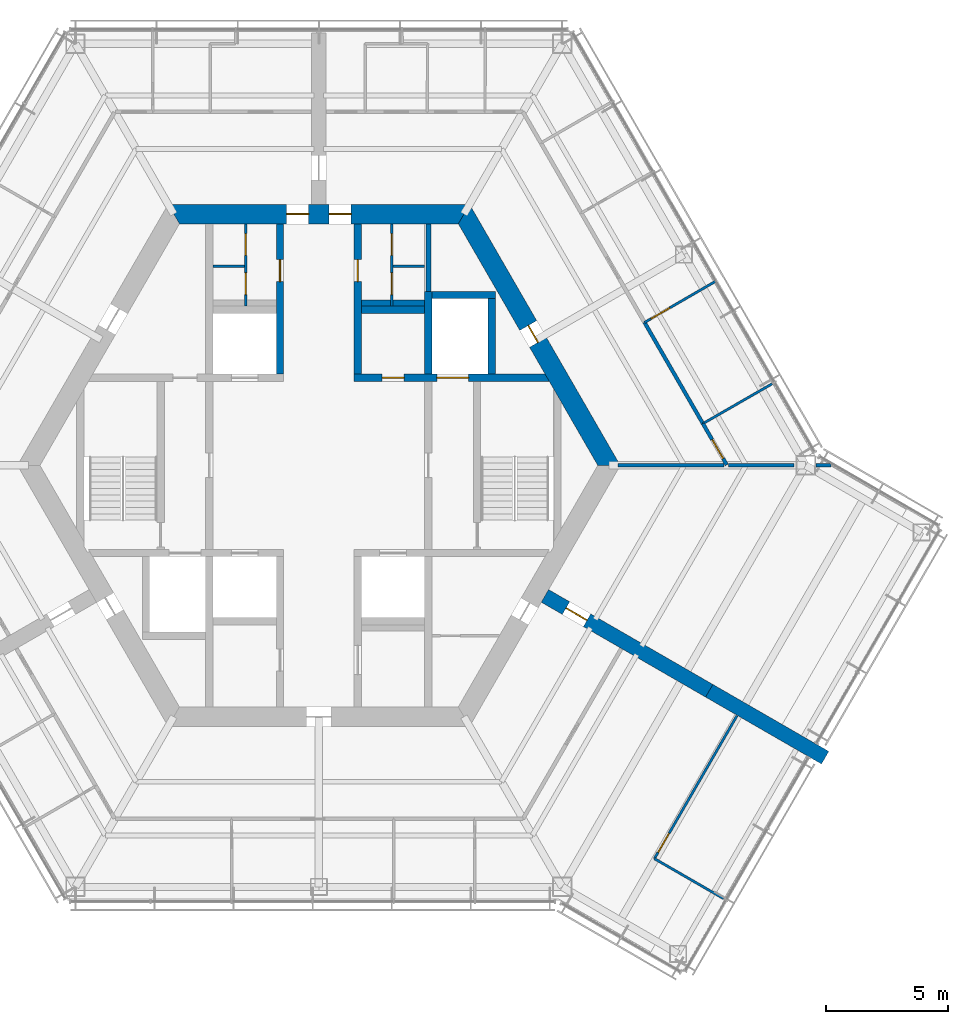
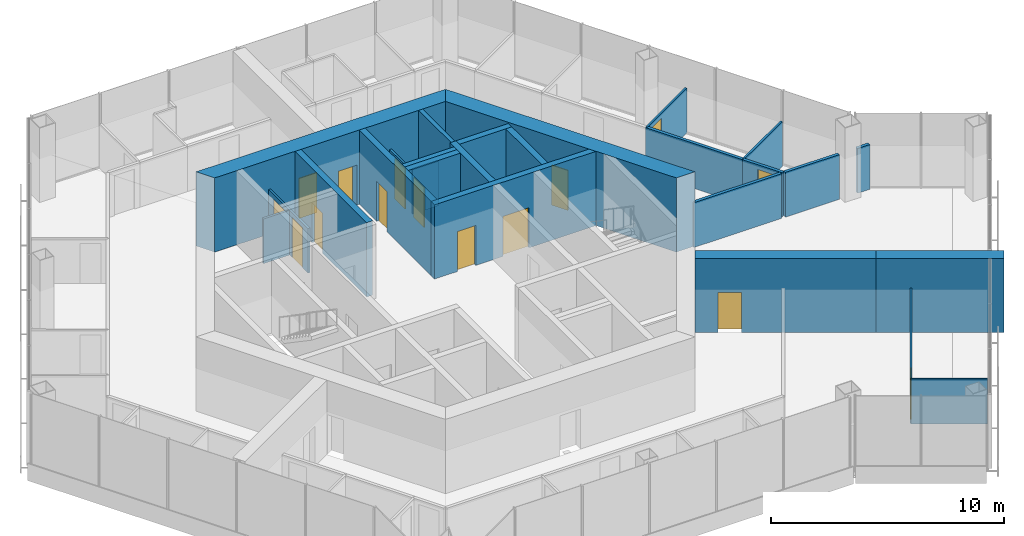
# One storey, part 9 of 13: 26 walls, 15 doors, 15 openings.
"""IFC4 building model written with IfcOpenShell, lengths in metres."""

from ifc_helpers import new_model, si_unit, direction, frame, frame_2d, origin, place, context, subcontext, project, spatial, polyline, rectangle, outline, extrude, material, layer, layer_set, type_object, element, fill, save


model = new_model("IFC4")

# Units and contexts
model_context = context("Model", 3, precision=1e-05, world=origin(), true_north=direction((0.0, 1.0)))
body_context = subcontext(model_context, "Body", "Model", "MODEL_VIEW")
ifc_project = project(units=[si_unit("LENGTHUNIT", "METRE"), si_unit("AREAUNIT", "SQUARE_METRE"), si_unit("VOLUMEUNIT", "CUBIC_METRE"), si_unit("PLANEANGLEUNIT", "RADIAN"), si_unit("MASSUNIT", "GRAM", prefix="KILO")], contexts=[model_context])

# Site, building, storey
site_placement = place(None, origin())
site = spatial("IfcSite", under=ifc_project, at=site_placement, CompositionType="ELEMENT")
building_placement = place(site_placement, origin())
building = spatial("IfcBuilding", under=site, at=building_placement, Name="Kasaneha Research Tower", CompositionType="ELEMENT")
storey_placement = place(building_placement, frame((0.0, 0.0, 298.60009765625)))
storey = spatial("IfcBuildingStorey", under=building, at=storey_placement, Name="L75", CompositionType="ELEMENT", Elevation=298.60009765625)

# Wall, openings, doors
ifc_material_1 = material(Name="Concrete Fc60", Category="concrete")
ifc_layer_1 = layer(ifc_material_1, 0.300048828125)
ifc_layer_set_1 = layer_set([ifc_layer_1], Name="Core internal wall 300 Fc60")
wall_type_1 = type_object("IfcWallType", Name="Core internal wall 300 Fc60", PredefinedType="SHEAR", material=ifc_layer_set_1)
wall_1_placement = place(storey_placement, frame((1.449951171875, 3.60009765625, 0.0), z_axis=(0.0, 0.0, 1.0), x_axis=(1.0, 0.0, 0.0)))
wall_1 = element("IfcWall", 1, at=wall_1_placement, inside=storey, type_object=wall_type_1, Name="Core wall W1E L75", PredefinedType="SHEAR", context=body_context, shape_type="SweptSolid", body=[
    extrude(outline(polyline([(0.0, -0.14990234375), (1.14990234375, -0.14990234375), (2.0498046875, -0.14990234375), (3.39990234375, -0.14990234375), (4.699951171875, -0.14990234375), (8.0185546875, -0.14990234375), (7.84521484375, 0.14990234375), (4.699951171875, 0.14990234375), (3.39990234375, 0.14990234375), (2.0498046875, 0.14990234375), (1.14990234375, 0.14990234375), (0.0, 0.14990234375), (0.0, -0.14990234375)])), origin(), (0.0, 0.0, 1.0), 3.89990234375),
])
opening_1_placement = place(wall_1_placement, frame((1.14990234375, 0.0, 0.0)))
opening_1 = element("IfcOpeningElement", 2, at=opening_1_placement, cuts=wall_1, Name="Opening L75-D17", PredefinedType="OPENING", context=body_context, shape_type="SweptSolid", body=[
    extrude(rectangle(XDim=0.89990234375, YDim=2.10009765625, at=frame_2d((0.449951171875, 1.050048828125))), frame((0.0, 0.16015625, 0.0), z_axis=(0.0, -1.0, 0.0), x_axis=(1.0, 0.0, 0.0)), (0.0, 0.0, 1.0), 0.320068359375),
])
opening_2_placement = place(wall_1_placement, frame((3.39990234375, 0.0, 0.0)))
opening_2 = element("IfcOpeningElement", 3, at=opening_2_placement, cuts=wall_1, Name="Opening LD-FL1-L75", PredefinedType="OPENING", context=body_context, shape_type="SweptSolid", body=[
    extrude(rectangle(XDim=1.300048828125, YDim=2.10009765625, at=frame_2d((0.64990234375, 1.050048828125))), frame((0.0, 0.16015625, 0.0), z_axis=(0.0, -1.0, 0.0), x_axis=(1.0, 0.0, 0.0)), (0.0, 0.0, 1.0), 0.320068359375),
])
ifc_material_2 = material(Name="Steel", Category="steel")
door_type_1 = type_object("IfcDoorType", Name="Lift landing door 1300x2100", OperationType="DOUBLE_DOOR_SLIDING", PredefinedType="DOOR", material=ifc_material_2)
door_1_placement = place(opening_2_placement, origin())
door_1 = element("IfcDoor", 4, at=door_1_placement, inside=storey, type_object=door_type_1, Name="Landing door FL1 LD-FL1-L75", OperationType="DOUBLE_DOOR_SLIDING", OverallHeight=2.10009765625, OverallWidth=1.300048828125, PredefinedType="DOOR", context=body_context, shape_type="SweptSolid", body=[
    extrude(rectangle(XDim=1.300048828125, YDim=2.10009765625, at=frame_2d((0.64990234375, 1.050048828125))), frame((0.0, 0.02490234375, 0.0), z_axis=(0.0, -1.0, 0.0), x_axis=(1.0, 0.0, 0.0)), (0.0, 0.0, 1.0), 0.050048828125),
])
fill(opening_2, door_1)
ifc_material_3 = material(Name="Steel", Category="steel")
door_type_2 = type_object("IfcDoorType", Name="Shaft room door FD60 900x2100", OperationType="NOTDEFINED", PredefinedType="DOOR", material=ifc_material_3)
door_2_placement = place(opening_1_placement, origin())
door_2 = element("IfcDoor", 5, at=door_2_placement, inside=storey, type_object=door_type_2, Name="Mail room door L75-D17", OperationType="SINGLE_SWING_LEFT", OverallHeight=2.10009765625, OverallWidth=0.89990234375, PredefinedType="DOOR", context=body_context, shape_type="SweptSolid", body=[
    extrude(rectangle(XDim=0.89990234375, YDim=2.10009765625, at=frame_2d((0.449951171875, 1.050048828125))), frame((0.0, 0.02490234375, 0.0), z_axis=(0.0, -1.0, 0.0), x_axis=(1.0, 0.0, 0.0)), (0.0, 0.0, 1.0), 0.050048828125),
])
fill(opening_1, door_2)

# Wall, opening, door
wall_2_placement = place(storey_placement, frame((-1.60009765625, 3.75, 0.0), z_axis=(0.0, 0.0, 1.0), x_axis=(0.0, 1.0, 0.0)))
wall_2 = element("IfcWall", 6, at=wall_2_placement, inside=storey, type_object=wall_type_1, Name="Core wall CNW L75", PredefinedType="SHEAR", context=body_context, shape_type="SweptSolid", body=[
    extrude(rectangle(XDim=6.175048828125, YDim=0.300048828125, at=frame_2d((3.08740234375, 0.0))), origin(), (0.0, 0.0, 1.0), 3.89990234375),
])
opening_3_placement = place(wall_2_placement, frame((3.800048828125, 0.0, 0.0)))
opening_3 = element("IfcOpeningElement", 7, at=opening_3_placement, cuts=wall_2, Name="Opening L75-D13", PredefinedType="OPENING", context=body_context, shape_type="SweptSolid", body=[
    extrude(rectangle(XDim=0.89990234375, YDim=2.10009765625, at=frame_2d((0.449951171875, 1.050048828125))), frame((0.0, 0.16015625, 0.0), z_axis=(0.0, -1.0, 0.0), x_axis=(1.0, 0.0, 0.0)), (0.0, 0.0, 1.0), 0.320068359375),
])
ifc_material_4 = material(Name="Steel", Category="steel")
door_type_3 = type_object("IfcDoorType", Name="Toilet door FD20 900x2100", OperationType="NOTDEFINED", PredefinedType="DOOR", material=ifc_material_4)
door_3_placement = place(opening_3_placement, origin())
door_3 = element("IfcDoor", 8, at=door_3_placement, inside=storey, type_object=door_type_3, Name="Men's WC door L75-D13", OperationType="SINGLE_SWING_LEFT", OverallHeight=2.10009765625, OverallWidth=0.89990234375, PredefinedType="DOOR", context=body_context, shape_type="SweptSolid", body=[
    extrude(rectangle(XDim=0.89990234375, YDim=2.10009765625, at=frame_2d((0.449951171875, 1.050048828125))), frame((0.0, 0.02490234375, 0.0), z_axis=(0.0, -1.0, 0.0), x_axis=(1.0, 0.0, 0.0)), (0.0, 0.0, 1.0), 0.050048828125),
])
fill(opening_3, door_3)

wall_3_placement = place(storey_placement, frame((1.60009765625, 3.75, 0.0), z_axis=(0.0, 0.0, 1.0), x_axis=(0.0, 1.0, 0.0)))
wall_3 = element("IfcWall", 9, at=wall_3_placement, inside=storey, type_object=wall_type_1, Name="Core wall CNE L75", PredefinedType="SHEAR", context=body_context, shape_type="SweptSolid", body=[
    extrude(rectangle(XDim=6.175048828125, YDim=0.300048828125, at=frame_2d((3.08740234375, 0.0))), origin(), (0.0, 0.0, 1.0), 3.89990234375),
])
opening_4_placement = place(wall_3_placement, frame((3.800048828125, 0.0, 0.0)))
opening_4 = element("IfcOpeningElement", 10, at=opening_4_placement, cuts=wall_3, Name="Opening L75-D14", PredefinedType="OPENING", context=body_context, shape_type="SweptSolid", body=[
    extrude(rectangle(XDim=0.89990234375, YDim=2.10009765625, at=frame_2d((0.449951171875, 1.050048828125))), frame((0.0, 0.16015625, 0.0), z_axis=(0.0, -1.0, 0.0), x_axis=(1.0, 0.0, 0.0)), (0.0, 0.0, 1.0), 0.320068359375),
])
door_4_placement = place(opening_4_placement, origin())
door_4 = element("IfcDoor", 11, at=door_4_placement, inside=storey, type_object=door_type_3, Name="Women's WC door L75-D14", OperationType="SINGLE_SWING_LEFT", OverallHeight=2.10009765625, OverallWidth=0.89990234375, PredefinedType="DOOR", context=body_context, shape_type="SweptSolid", body=[
    extrude(rectangle(XDim=0.89990234375, YDim=2.10009765625, at=frame_2d((0.449951171875, 1.050048828125))), frame((0.0, 0.02490234375, 0.0), z_axis=(0.0, -1.0, 0.0), x_axis=(1.0, 0.0, 0.0)), (0.0, 0.0, 1.0), 0.050048828125),
])
fill(opening_4, door_4)

# Walls
wall_4_placement = place(storey_placement, frame((4.5, 3.75, 0.0), z_axis=(0.0, 0.0, 1.0), x_axis=(0.0, 1.0, 0.0)))
element("IfcWall", 12, at=wall_4_placement, inside=storey, type_object=wall_type_1, Name="Core wall FNE L75", PredefinedType="SHEAR", context=body_context, shape_type="SweptSolid", body=[
    extrude(rectangle(XDim=3.39990234375, YDim=0.300048828125, at=frame_2d((1.699951171875, 0.0))), origin(), (0.0, 0.0, 1.0), 3.89990234375),
])
for number, where, z_axis, x_axis, name in (
    (13, (1.75, 6.39990234375, 0.0), (0.0, 0.0, 1.0), (1.0, 0.0, 0.0), "Core wall N3N L75"),
    (14, (4.64990234375, 7.0, 0.0), (0.0, 0.0, 1.0), (1.0, 0.0, 0.0), "Core wall F1N L75"),
):
    element("IfcWall", number, at=place(storey_placement, frame(where, z_axis=z_axis, x_axis=x_axis)), inside=storey, type_object=wall_type_1, Name=name, PredefinedType="SHEAR", context=body_context, shape_type="SweptSolid", body=[
        extrude(rectangle(XDim=2.60009765625, YDim=0.300048828125, at=frame_2d((1.300048828125, 0.0))), origin(), (0.0, 0.0, 1.0), 3.89990234375),
    ])
wall_5_placement = place(storey_placement, frame((7.10009765625, 3.75, 0.0), z_axis=(0.0, 0.0, 1.0), x_axis=(0.0, 1.0, 0.0)))
element("IfcWall", 15, at=wall_5_placement, inside=storey, type_object=wall_type_1, Name="Core wall F1E L75", PredefinedType="SHEAR", context=body_context, shape_type="SweptSolid", body=[
    extrude(rectangle(XDim=3.10009765625, YDim=0.300048828125, at=frame_2d((1.550048828125, 0.0))), origin(), (0.0, 0.0, 1.0), 3.89990234375),
])

# Wall, opening, door
ifc_material_5 = material(Name="Concrete Fc60", Category="concrete")
ifc_layer_2 = layer(ifc_material_5, 0.800048828125)
ifc_layer_set_2 = layer_set([ifc_layer_2], Name="Core wall 800 Fc60")
wall_type_2 = type_object("IfcWallType", Name="Core wall 800 Fc60", PredefinedType="SHEAR", material=ifc_layer_set_2)
wall_6_placement = place(storey_placement, frame((11.92236328125, 0.0, 0.0), z_axis=(0.0, 0.0, 1.0), x_axis=(-0.500004296715, 0.866022923061, 0.0)))
wall_6 = element("IfcWall", 16, at=wall_6_placement, inside=storey, type_object=wall_type_2, Name="Core wall 030 L75", PredefinedType="SHEAR", context=body_context, shape_type="SweptSolid", body=[
    extrude(outline(polyline([(-0.23095703125, -0.39990234375), (5.83544921875, -0.39990234375), (6.635498046875, -0.39990234375), (12.1533203125, -0.39990234375), (11.69140625, 0.39990234375), (6.635498046875, 0.39990234375), (5.83544921875, 0.39990234375), (0.23095703125, 0.39990234375), (-0.23095703125, -0.39990234375)])), origin(), (0.0, 0.0, 1.0), 3.89990234375),
])
opening_5_placement = place(wall_6_placement, frame((5.83544921875, 0.0, 0.0)))
opening_5 = element("IfcOpeningElement", 17, at=opening_5_placement, cuts=wall_6, Name="Opening L75-D04", PredefinedType="OPENING", context=body_context, shape_type="SweptSolid", body=[
    extrude(rectangle(XDim=0.800048828125, YDim=2.10009765625, at=frame_2d((0.39990234375, 1.050048828125))), frame((0.0, 0.41015625, 0.0), z_axis=(0.0, -1.0, 0.0), x_axis=(1.0, 0.0, 0.0)), (0.0, 0.0, 1.0), 0.820068359375),
])
ifc_material_6 = material(Name="Steel", Category="steel")
door_type_4 = type_object("IfcDoorType", Name="Riser access door FD60 800x2100", OperationType="NOTDEFINED", PredefinedType="DOOR", material=ifc_material_6)
door_5_placement = place(opening_5_placement, origin())
door_5 = element("IfcDoor", 18, at=door_5_placement, inside=storey, type_object=door_type_4, Name="Pipe riser door L75-D04", OperationType="SINGLE_SWING_RIGHT", OverallHeight=2.10009765625, OverallWidth=0.800048828125, PredefinedType="DOOR", context=body_context, shape_type="SweptSolid", body=[
    extrude(rectangle(XDim=0.800048828125, YDim=2.10009765625, at=frame_2d((0.39990234375, 1.050048828125))), frame((0.0, 0.02490234375, 0.0), z_axis=(0.0, -1.0, 0.0), x_axis=(1.0, 0.0, 0.0)), (0.0, 0.0, 1.0), 0.050048828125),
])
fill(opening_5, door_5)

# Wall, openings, doors
wall_7_placement = place(storey_placement, frame((5.961181640625, 10.324951171875, 0.0), z_axis=(0.0, 0.0, 1.0), x_axis=(-1.0, 0.0, 0.0)))
wall_7 = element("IfcWall", 19, at=wall_7_placement, inside=storey, type_object=wall_type_2, Name="Core wall 090 L75", PredefinedType="SHEAR", context=body_context, shape_type="SweptSolid", body=[
    extrude(outline(polyline([(-0.23095703125, -0.39990234375), (4.63623046875, -0.39990234375), (5.5361328125, -0.39990234375), (6.38623046875, -0.39990234375), (7.2861328125, -0.39990234375), (12.1533203125, -0.39990234375), (11.69140625, 0.39990234375), (7.2861328125, 0.39990234375), (6.38623046875, 0.39990234375), (5.5361328125, 0.39990234375), (4.63623046875, 0.39990234375), (0.23095703125, 0.39990234375), (-0.23095703125, -0.39990234375)])), origin(), (0.0, 0.0, 1.0), 3.89990234375),
])
opening_6_placement = place(wall_7_placement, frame((6.38623046875, 0.0, 0.0)))
opening_6 = element("IfcOpeningElement", 20, at=opening_6_placement, cuts=wall_7, Name="Opening L75-D01", PredefinedType="OPENING", context=body_context, shape_type="SweptSolid", body=[
    extrude(rectangle(XDim=0.89990234375, YDim=2.10009765625, at=frame_2d((0.449951171875, 1.050048828125))), frame((0.0, 0.41015625, 0.0), z_axis=(0.0, -1.0, 0.0), x_axis=(1.0, 0.0, 0.0)), (0.0, 0.0, 1.0), 0.820068359375),
])
opening_7_placement = place(wall_7_placement, frame((4.63623046875, 0.0, 0.0)))
opening_7 = element("IfcOpeningElement", 21, at=opening_7_placement, cuts=wall_7, Name="Opening L75-D02", PredefinedType="OPENING", context=body_context, shape_type="SweptSolid", body=[
    extrude(rectangle(XDim=0.89990234375, YDim=2.10009765625, at=frame_2d((0.449951171875, 1.050048828125))), frame((0.0, 0.41015625, 0.0), z_axis=(0.0, -1.0, 0.0), x_axis=(1.0, 0.0, 0.0)), (0.0, 0.0, 1.0), 0.820068359375),
])
door_6_placement = place(opening_6_placement, origin())
door_6 = element("IfcDoor", 22, at=door_6_placement, inside=storey, type_object=door_type_3, Name="Core door north 1 L75-D01", OperationType="SINGLE_SWING_RIGHT", OverallHeight=2.10009765625, OverallWidth=0.89990234375, PredefinedType="DOOR", context=body_context, shape_type="SweptSolid", body=[
    extrude(rectangle(XDim=0.89990234375, YDim=2.10009765625, at=frame_2d((0.449951171875, 1.050048828125))), frame((0.0, 0.02490234375, 0.0), z_axis=(0.0, -1.0, 0.0), x_axis=(1.0, 0.0, 0.0)), (0.0, 0.0, 1.0), 0.050048828125),
])
fill(opening_6, door_6)
door_7_placement = place(opening_7_placement, origin())
door_7 = element("IfcDoor", 23, at=door_7_placement, inside=storey, type_object=door_type_3, Name="Core door north 2 L75-D02", OperationType="SINGLE_SWING_LEFT", OverallHeight=2.10009765625, OverallWidth=0.89990234375, PredefinedType="DOOR", context=body_context, shape_type="SweptSolid", body=[
    extrude(rectangle(XDim=0.89990234375, YDim=2.10009765625, at=frame_2d((0.449951171875, 1.050048828125))), frame((0.0, 0.02490234375, 0.0), z_axis=(0.0, -1.0, 0.0), x_axis=(1.0, 0.0, 0.0)), (0.0, 0.0, 1.0), 0.050048828125),
])
fill(opening_7, door_7)

ifc_material_7 = material(Name="Gypsum board on steel studs, one layer each side", Category="steel")
ifc_layer_3 = layer(ifc_material_7, 0.10009765625)
ifc_layer_set_3 = layer_set([ifc_layer_3], Name="Office partition 100")
wall_type_3 = type_object("IfcWallType", Name="Office partition 100", PredefinedType="PARTITIONING", material=ifc_layer_set_3)
wall_8_placement = place(storey_placement, frame((-3.0, 6.550048828125, 0.0), z_axis=(0.0, 0.0, 1.0), x_axis=(0.0, 1.0, 0.0)))
wall_8 = element("IfcWall", 24, at=wall_8_placement, inside=storey, type_object=wall_type_3, Name="Office partition TBM1 L75", PredefinedType="PARTITIONING", context=body_context, shape_type="SweptSolid", body=[
    extrude(rectangle(XDim=3.375, YDim=0.10009765625, at=frame_2d((1.6875, 0.0))), origin(), (0.0, 0.0, 1.0), 2.349853515625),
])
opening_8_placement = place(wall_8_placement, frame((2.074951171875, 0.0, 0.0)))
opening_8 = element("IfcOpeningElement", 25, at=opening_8_placement, cuts=wall_8, Name="Opening L75-D21", PredefinedType="OPENING", context=body_context, shape_type="SweptSolid", body=[
    extrude(rectangle(XDim=0.89990234375, YDim=2.10009765625, at=frame_2d((0.449951171875, 1.050048828125))), frame((0.0, 0.06005859375, 0.0), z_axis=(0.0, -1.0, 0.0), x_axis=(1.0, 0.0, 0.0)), (0.0, 0.0, 1.0), 0.1201171875),
])
opening_9_placement = place(wall_8_placement, frame((0.46240234375, 0.0, 0.0)))
opening_9 = element("IfcOpeningElement", 26, at=opening_9_placement, cuts=wall_8, Name="Opening L75-D22", PredefinedType="OPENING", context=body_context, shape_type="SweptSolid", body=[
    extrude(rectangle(XDim=0.89990234375, YDim=2.10009765625, at=frame_2d((0.449951171875, 1.050048828125))), frame((0.0, 0.06005859375, 0.0), z_axis=(0.0, -1.0, 0.0), x_axis=(1.0, 0.0, 0.0)), (0.0, 0.0, 1.0), 0.1201171875),
])
ifc_material_8 = material(Name="Steel", Category="steel")
door_type_5 = type_object("IfcDoorType", Name="Toilet lobby door FD30 900x2100", OperationType="NOTDEFINED", PredefinedType="DOOR", material=ifc_material_8)
door_8_placement = place(opening_8_placement, origin())
door_8 = element("IfcDoor", 27, at=door_8_placement, inside=storey, type_object=door_type_5, Name="Men's WC door L75-D21", OperationType="SINGLE_SWING_RIGHT", OverallHeight=2.10009765625, OverallWidth=0.89990234375, PredefinedType="DOOR", context=body_context, shape_type="SweptSolid", body=[
    extrude(rectangle(XDim=0.89990234375, YDim=2.10009765625, at=frame_2d((0.449951171875, 1.050048828125))), frame((0.0, 0.02490234375, 0.0), z_axis=(0.0, -1.0, 0.0), x_axis=(1.0, 0.0, 0.0)), (0.0, 0.0, 1.0), 0.050048828125),
])
fill(opening_8, door_8)
door_9_placement = place(opening_9_placement, origin())
door_9 = element("IfcDoor", 28, at=door_9_placement, inside=storey, type_object=door_type_5, Name="Cleaner's store door L75-D22", OperationType="SINGLE_SWING_RIGHT", OverallHeight=2.10009765625, OverallWidth=0.89990234375, PredefinedType="DOOR", context=body_context, shape_type="SweptSolid", body=[
    extrude(rectangle(XDim=0.89990234375, YDim=2.10009765625, at=frame_2d((0.449951171875, 1.050048828125))), frame((0.0, 0.02490234375, 0.0), z_axis=(0.0, -1.0, 0.0), x_axis=(1.0, 0.0, 0.0)), (0.0, 0.0, 1.0), 0.050048828125),
])
fill(opening_9, door_9)

# Wall
wall_9_placement = place(storey_placement, frame((-3.050048828125, 8.175048828125, 0.0), z_axis=(0.0, 0.0, 1.0), x_axis=(-1.0, 0.0, 0.0)))
element("IfcWall", 29, at=wall_9_placement, inside=storey, type_object=wall_type_3, Name="Office partition TBM2 L75", PredefinedType="PARTITIONING", context=body_context, shape_type="SweptSolid", body=[
    extrude(rectangle(XDim=1.300048828125, YDim=0.10009765625, at=frame_2d((0.64990234375, 0.0))), origin(), (0.0, 0.0, 1.0), 2.349853515625),
])

# Wall, openings, doors
wall_10_placement = place(storey_placement, frame((3.0, 6.550048828125, 0.0), z_axis=(0.0, 0.0, 1.0), x_axis=(0.0, 1.0, 0.0)))
wall_10 = element("IfcWall", 30, at=wall_10_placement, inside=storey, type_object=wall_type_3, Name="Office partition TBF1 L75", PredefinedType="PARTITIONING", context=body_context, shape_type="SweptSolid", body=[
    extrude(rectangle(XDim=3.375, YDim=0.10009765625, at=frame_2d((1.6875, 0.0))), origin(), (0.0, 0.0, 1.0), 2.349853515625),
])
opening_10_placement = place(wall_10_placement, frame((2.074951171875, 0.0, 0.0)))
opening_10 = element("IfcOpeningElement", 31, at=opening_10_placement, cuts=wall_10, Name="Opening L75-D23", PredefinedType="OPENING", context=body_context, shape_type="SweptSolid", body=[
    extrude(rectangle(XDim=0.89990234375, YDim=2.10009765625, at=frame_2d((0.449951171875, 1.050048828125))), frame((0.0, 0.06005859375, 0.0), z_axis=(0.0, -1.0, 0.0), x_axis=(1.0, 0.0, 0.0)), (0.0, 0.0, 1.0), 0.1201171875),
])
opening_11_placement = place(wall_10_placement, frame((0.46240234375, 0.0, 0.0)))
opening_11 = element("IfcOpeningElement", 32, at=opening_11_placement, cuts=wall_10, Name="Opening L75-D24", PredefinedType="OPENING", context=body_context, shape_type="SweptSolid", body=[
    extrude(rectangle(XDim=0.89990234375, YDim=2.10009765625, at=frame_2d((0.449951171875, 1.050048828125))), frame((0.0, 0.06005859375, 0.0), z_axis=(0.0, -1.0, 0.0), x_axis=(1.0, 0.0, 0.0)), (0.0, 0.0, 1.0), 0.1201171875),
])
door_10_placement = place(opening_10_placement, origin())
door_10 = element("IfcDoor", 33, at=door_10_placement, inside=storey, type_object=door_type_5, Name="Women's WC door L75-D23", OperationType="SINGLE_SWING_RIGHT", OverallHeight=2.10009765625, OverallWidth=0.89990234375, PredefinedType="DOOR", context=body_context, shape_type="SweptSolid", body=[
    extrude(rectangle(XDim=0.89990234375, YDim=2.10009765625, at=frame_2d((0.449951171875, 1.050048828125))), frame((0.0, 0.02490234375, 0.0), z_axis=(0.0, -1.0, 0.0), x_axis=(1.0, 0.0, 0.0)), (0.0, 0.0, 1.0), 0.050048828125),
])
fill(opening_10, door_10)
door_11_placement = place(opening_11_placement, origin())
door_11 = element("IfcDoor", 34, at=door_11_placement, inside=storey, type_object=door_type_5, Name="Staff WC door L75-D24", OperationType="SINGLE_SWING_RIGHT", OverallHeight=2.10009765625, OverallWidth=0.89990234375, PredefinedType="DOOR", context=body_context, shape_type="SweptSolid", body=[
    extrude(rectangle(XDim=0.89990234375, YDim=2.10009765625, at=frame_2d((0.449951171875, 1.050048828125))), frame((0.0, 0.02490234375, 0.0), z_axis=(0.0, -1.0, 0.0), x_axis=(1.0, 0.0, 0.0)), (0.0, 0.0, 1.0), 0.050048828125),
])
fill(opening_11, door_11)

# Walls
wall_11_placement = place(storey_placement, frame((3.050048828125, 8.175048828125, 0.0), z_axis=(0.0, 0.0, 1.0), x_axis=(1.0, 0.0, 0.0)))
element("IfcWall", 35, at=wall_11_placement, inside=storey, type_object=wall_type_3, Name="Office partition TBF2 L75", PredefinedType="PARTITIONING", context=body_context, shape_type="SweptSolid", body=[
    extrude(rectangle(XDim=1.300048828125, YDim=0.10009765625, at=frame_2d((0.64990234375, 0.0))), origin(), (0.0, 0.0, 1.0), 2.349853515625),
])
wall_12_placement = place(storey_placement, frame((18.61962890625, 3.3505859375, 0.0), z_axis=(0.0, 0.0, 1.0), x_axis=(-0.866762109236, -0.498721812229, 0.0)))
element("IfcWall", 36, at=wall_12_placement, inside=storey, type_object=wall_type_3, Name="Office partition FAE14 L75", PredefinedType="PARTITIONING", context=body_context, shape_type="SweptSolid", body=[
    extrude(rectangle(XDim=3.27490234375, YDim=0.10009765625, at=frame_2d((1.637451171875, 0.0))), origin(), (0.0, 0.0, 1.0), 2.349853515625),
])

# Wall, opening, door
wall_13_placement = place(storey_placement, frame((13.381103515625, 5.87353515625, 0.0), z_axis=(0.0, 0.0, 1.0), x_axis=(0.865294595383, 0.501263666348, 0.0)))
wall_13 = element("IfcWall", 37, at=wall_13_placement, inside=storey, type_object=wall_type_3, Name="Office partition FAE15 L75", PredefinedType="PARTITIONING", context=body_context, shape_type="SweptSolid", body=[
    extrude(rectangle(XDim=3.385498046875, YDim=0.10009765625, at=frame_2d((1.69287109375, 0.0))), origin(), (0.0, 0.0, 1.0), 2.349853515625),
])
opening_12_placement = place(wall_13_placement, frame((0.300048828125, 0.0, 0.0)))
opening_12 = element("IfcOpeningElement", 38, at=opening_12_placement, cuts=wall_13, Name="Opening L75-D32", PredefinedType="OPENING", context=body_context, shape_type="SweptSolid", body=[
    extrude(rectangle(XDim=0.89990234375, YDim=2.10009765625, at=frame_2d((0.449951171875, 1.050048828125))), frame((0.0, 0.06005859375, 0.0), z_axis=(0.0, -1.0, 0.0), x_axis=(1.0, 0.0, 0.0)), (0.0, 0.0, 1.0), 0.1201171875),
])
ifc_material_9 = material(Name="Timber veneer", Category="wood")
door_type_6 = type_object("IfcDoorType", Name="Office door 900x2100", OperationType="SINGLE_SWING_LEFT", PredefinedType="DOOR", material=ifc_material_9)
door_12_placement = place(opening_12_placement, origin())
door_12 = element("IfcDoor", 39, at=door_12_placement, inside=storey, type_object=door_type_6, Name="Pantry door L75-D32", OperationType="SINGLE_SWING_LEFT", OverallHeight=2.10009765625, OverallWidth=0.89990234375, PredefinedType="DOOR", context=body_context, shape_type="SweptSolid", body=[
    extrude(rectangle(XDim=0.89990234375, YDim=2.10009765625, at=frame_2d((0.449951171875, 1.050048828125))), frame((0.0, 0.02490234375, 0.0), z_axis=(0.0, -1.0, 0.0), x_axis=(1.0, 0.0, 0.0)), (0.0, 0.0, 1.0), 0.050048828125),
])
fill(opening_12, door_12)

wall_14_placement = place(storey_placement, frame((13.788330078125, -16.158935546875, 0.0), z_axis=(0.0, 0.0, 1.0), x_axis=(0.499992600721, 0.866029675718, 0.0)))
wall_14 = element("IfcWall", 40, at=wall_14_placement, inside=storey, type_object=wall_type_3, Name="Office partition FCS09 L75", PredefinedType="PARTITIONING", context=body_context, shape_type="SweptSolid", body=[
    extrude(rectangle(XDim=6.77978515625, YDim=0.10009765625, at=frame_2d((3.389892578125, 0.0))), origin(), (0.0, 0.0, 1.0), 2.349853515625),
])
opening_13_placement = place(wall_14_placement, frame((0.300048828125, 0.0, 0.0)))
opening_13 = element("IfcOpeningElement", 41, at=opening_13_placement, cuts=wall_14, Name="Opening L75-D50", PredefinedType="OPENING", context=body_context, shape_type="SweptSolid", body=[
    extrude(rectangle(XDim=0.89990234375, YDim=2.10009765625, at=frame_2d((0.449951171875, 1.050048828125))), frame((0.0, 0.06005859375, 0.0), z_axis=(0.0, -1.0, 0.0), x_axis=(1.0, 0.0, 0.0)), (0.0, 0.0, 1.0), 0.1201171875),
])
door_13_placement = place(opening_13_placement, origin())
door_13 = element("IfcDoor", 42, at=door_13_placement, inside=storey, type_object=door_type_6, Name="Executive office door L75-D50", OperationType="SINGLE_SWING_LEFT", OverallHeight=2.10009765625, OverallWidth=0.89990234375, PredefinedType="DOOR", context=body_context, shape_type="SweptSolid", body=[
    extrude(rectangle(XDim=0.89990234375, YDim=2.10009765625, at=frame_2d((0.449951171875, 1.050048828125))), frame((0.0, 0.02490234375, 0.0), z_axis=(0.0, -1.0, 0.0), x_axis=(1.0, 0.0, 0.0)), (0.0, 0.0, 1.0), 0.050048828125),
])
fill(opening_13, door_13)

# Walls
wall_15_placement = place(storey_placement, frame((16.62890625, -17.799072265625, 0.0), z_axis=(0.0, 0.0, 1.0), x_axis=(-0.866008333849, 0.50002956483, 0.0)))
element("IfcWall", 43, at=wall_15_placement, inside=storey, type_object=wall_type_3, Name="Office partition FCS10 L75", PredefinedType="PARTITIONING", context=body_context, shape_type="SweptSolid", body=[
    extrude(rectangle(XDim=3.280029296875, YDim=0.10009765625, at=frame_2d((1.64013671875, 0.0))), origin(), (0.0, 0.0, 1.0), 2.349853515625),
])
ifc_material_10 = material(Name="Concrete block", Category="concrete")
ifc_layer_4 = layer(ifc_material_10, 0.199951171875)
ifc_layer_set_4 = layer_set([ifc_layer_4], Name="Riser enclosure wall 200")
wall_type_4 = type_object("IfcWallType", Name="Riser enclosure wall 200", PredefinedType="STANDARD", material=ifc_layer_set_4)
wall_16_placement = place(storey_placement, frame((4.5, 7.14990234375, 0.0), z_axis=(0.0, 0.0, 1.0), x_axis=(0.0, 1.0, 0.0)))
element("IfcWall", 44, at=wall_16_placement, inside=storey, type_object=wall_type_4, Name="Riser enclosure wall L75", PredefinedType="STANDARD", context=body_context, shape_type="SweptSolid", body=[
    extrude(rectangle(XDim=2.775146484375, YDim=0.199951171875, at=frame_2d((1.3876953125, 0.0))), origin(), (0.0, 0.0, 1.0), 3.89990234375),
])

# Wall, opening, door
ifc_material_11 = material(Name="Concrete Fc60", Category="concrete")
ifc_layer_5 = layer(ifc_material_11, 0.60009765625)
ifc_layer_set_5 = layer_set([ifc_layer_5], Name="Spine wall 600 Fc60")
wall_type_5 = type_object("IfcWallType", Name="Spine wall 600 Fc60", PredefinedType="SHEAR", material=ifc_layer_set_5)
wall_17_placement = place(storey_placement, frame((9.2880859375, -5.362548828125, 0.0), z_axis=(0.0, 0.0, 1.0), x_axis=(0.866031736626, -0.499989031036, 0.0)))
wall_17 = element("IfcWall", 45, at=wall_17_placement, inside=storey, type_object=wall_type_5, Name="Spine wall C L75", PredefinedType="SHEAR", context=body_context, shape_type="SweptSolid", body=[
    extrude(rectangle(XDim=7.795654296875, YDim=0.60009765625, at=frame_2d((3.89794921875, 0.0))), origin(), (0.0, 0.0, 1.0), 3.89990234375),
])
opening_14_placement = place(wall_17_placement, frame((1.0, 0.0, 0.0)))
opening_14 = element("IfcOpeningElement", 46, at=opening_14_placement, cuts=wall_17, Name="Opening L75-D20", PredefinedType="OPENING", context=body_context, shape_type="SweptSolid", body=[
    extrude(rectangle(XDim=1.0, YDim=2.10009765625, at=frame_2d((0.5, 1.050048828125))), frame((0.0, 0.31005859375, 0.0), z_axis=(0.0, -1.0, 0.0), x_axis=(1.0, 0.0, 0.0)), (0.0, 0.0, 1.0), 0.6201171875),
])
ifc_material_12 = material(Name="Steel", Category="steel")
door_type_7 = type_object("IfcDoorType", Name="Specified fire door FD60 1000x2100", OperationType="NOTDEFINED", PredefinedType="DOOR", material=ifc_material_12)
door_14_placement = place(opening_14_placement, origin())
door_14 = element("IfcDoor", 47, at=door_14_placement, inside=storey, type_object=door_type_7, Name="Spine doorway C L75-D20", OperationType="SINGLE_SWING_LEFT", OverallHeight=2.10009765625, OverallWidth=1.0, PredefinedType="DOOR", context=body_context, shape_type="SweptSolid", body=[
    extrude(rectangle(XDim=1.0, YDim=2.10009765625, at=frame_2d((0.5, 1.050048828125))), frame((0.0, 0.02490234375, 0.0), z_axis=(0.0, -1.0, 0.0), x_axis=(1.0, 0.0, 0.0)), (0.0, 0.0, 1.0), 0.050048828125),
])
fill(opening_14, door_14)

# Walls
wall_18_placement = place(storey_placement, frame((16.039306640625, -9.26025390625, 0.0), z_axis=(0.0, 0.0, 1.0), x_axis=(0.866027397988, -0.499996545922, 0.0)))
element("IfcWall", 48, at=wall_18_placement, inside=storey, type_object=wall_type_5, Name="Spine wall C wing L75", PredefinedType="SHEAR", context=body_context, shape_type="SweptSolid", body=[
    extrude(rectangle(XDim=5.5, YDim=0.60009765625, at=frame_2d((2.75, 0.0))), origin(), (0.0, 0.0, 1.0), 3.89990234375),
])
ifc_material_13 = material(Name="Gypsum board on steel studs, two layers each side", Category="steel")
ifc_layer_6 = layer(ifc_material_13, 0.14990234375)
ifc_layer_set_6 = layer_set([ifc_layer_6], Name="Suite partition 150")
wall_type_6 = type_object("IfcWallType", Name="Suite partition 150", PredefinedType="PARTITIONING", material=ifc_layer_set_6)
wall_19_placement = place(storey_placement, frame((13.376220703125, 5.8818359375, 0.0), z_axis=(0.0, 0.0, 1.0), x_axis=(0.499991431567, -0.866030350715, 0.0)))
element("IfcWall", 49, at=wall_19_placement, inside=storey, type_object=wall_type_6, Name="Suite partition FAE02 L75", PredefinedType="PARTITIONING", context=body_context, shape_type="SweptSolid", body=[
    extrude(rectangle(XDim=4.81884765625, YDim=0.14990234375, at=frame_2d((2.409423828125, 0.0))), origin(), (0.0, 0.0, 1.0), 2.349853515625),
])

# Wall, opening, door
wall_20_placement = place(storey_placement, frame((15.78076171875, 1.717041015625, 0.0), z_axis=(0.0, 0.0, 1.0), x_axis=(0.499984888139, -0.866034128446, 0.0)))
wall_20 = element("IfcWall", 50, at=wall_20_placement, inside=storey, type_object=wall_type_6, Name="Suite partition FAE06 L75", PredefinedType="PARTITIONING", context=body_context, shape_type="SweptSolid", body=[
    extrude(rectangle(XDim=1.95947265625, YDim=0.14990234375, at=frame_2d((0.979736328125, 0.0))), origin(), (0.0, 0.0, 1.0), 2.349853515625),
])
opening_15_placement = place(wall_20_placement, frame((0.759765625, 0.0, 0.0)))
opening_15 = element("IfcOpeningElement", 51, at=opening_15_placement, cuts=wall_20, Name="Opening L75-D29", PredefinedType="OPENING", context=body_context, shape_type="SweptSolid", body=[
    extrude(rectangle(XDim=0.89990234375, YDim=2.10009765625, at=frame_2d((0.449951171875, 1.050048828125))), frame((0.0, 0.0849609375, 0.0), z_axis=(0.0, -1.0, 0.0), x_axis=(1.0, 0.0, 0.0)), (0.0, 0.0, 1.0), 0.169921875),
])
door_15_placement = place(opening_15_placement, origin())
door_15 = element("IfcDoor", 52, at=door_15_placement, inside=storey, type_object=door_type_6, Name="Workroom door L75-D29", OperationType="SINGLE_SWING_RIGHT", OverallHeight=2.10009765625, OverallWidth=0.89990234375, PredefinedType="DOOR", context=body_context, shape_type="SweptSolid", body=[
    extrude(rectangle(XDim=0.89990234375, YDim=2.10009765625, at=frame_2d((0.449951171875, 1.050048828125))), frame((0.0, 0.02490234375, 0.0), z_axis=(0.0, -1.0, 0.0), x_axis=(1.0, 0.0, 0.0)), (0.0, 0.0, 1.0), 0.050048828125),
])
fill(opening_15, door_15)

# Walls
wall_21_placement = place(storey_placement, frame((19.5185546875, 0.0, 0.0), z_axis=(0.0, 0.0, 1.0), x_axis=(-1.0, 0.0, 0.0)))
element("IfcWall", 53, at=wall_21_placement, inside=storey, type_object=wall_type_6, Name="Suite partition closer PT4 L75", PredefinedType="PARTITIONING", context=body_context, shape_type="SweptSolid", body=[
    extrude(rectangle(XDim=2.68798828125, YDim=0.14990234375, at=frame_2d((1.343994140625, 0.0))), origin(), (0.0, 0.0, 1.0), 2.349853515625),
])
wall_22_placement = place(storey_placement, frame((12.2841796875, 0.0, 0.0), z_axis=(0.0, 0.0, 1.0), x_axis=(1.0, 0.0, 0.0)))
element("IfcWall", 54, at=wall_22_placement, inside=storey, type_object=wall_type_6, Name="Suite partition closer PT4 L75", PredefinedType="PARTITIONING", context=body_context, shape_type="SweptSolid", body=[
    extrude(rectangle(XDim=4.36279296875, YDim=0.14990234375, at=frame_2d((2.181396484375, 0.0))), origin(), (0.0, 0.0, 1.0), 2.349853515625),
])
wall_23_placement = place(storey_placement, frame((20.419921875, 0.0, 0.0), z_axis=(0.0, 0.0, 1.0), x_axis=(1.0, 0.0, 0.0)))
element("IfcWall", 55, at=wall_23_placement, inside=storey, type_object=wall_type_6, Name="Suite partition closer PT4 L75", PredefinedType="PARTITIONING", context=body_context, shape_type="SweptSolid", body=[
    extrude(rectangle(XDim=0.614013671875, YDim=0.14990234375, at=frame_2d((0.30712890625, 0.0))), origin(), (0.0, 0.0, 1.0), 2.349853515625),
])
ifc_material_14 = material(Name="Concrete block lining", Category="concrete")
ifc_layer_7 = layer(ifc_material_14, 0.25)
ifc_layer_set_7 = layer_set([ifc_layer_7], Name="WC plumbing wall 250")
wall_type_7 = type_object("IfcWallType", Name="WC plumbing wall 250", PredefinedType="PLUMBINGWALL", material=ifc_layer_set_7)
wall_24_placement = place(storey_placement, frame((1.75, 6.675048828125, 0.0), z_axis=(0.0, 0.0, 1.0), x_axis=(1.0, 0.0, 0.0)))
element("IfcWall", 56, at=wall_24_placement, inside=storey, type_object=wall_type_7, Name="WC plumbing wall F L75", PredefinedType="PLUMBINGWALL", context=body_context, shape_type="SweptSolid", body=[
    extrude(rectangle(XDim=2.60009765625, YDim=0.25, at=frame_2d((1.300048828125, 0.0))), origin(), (0.0, 0.0, 1.0), 3.89990234375),
])

save(model, "model.ifc")
